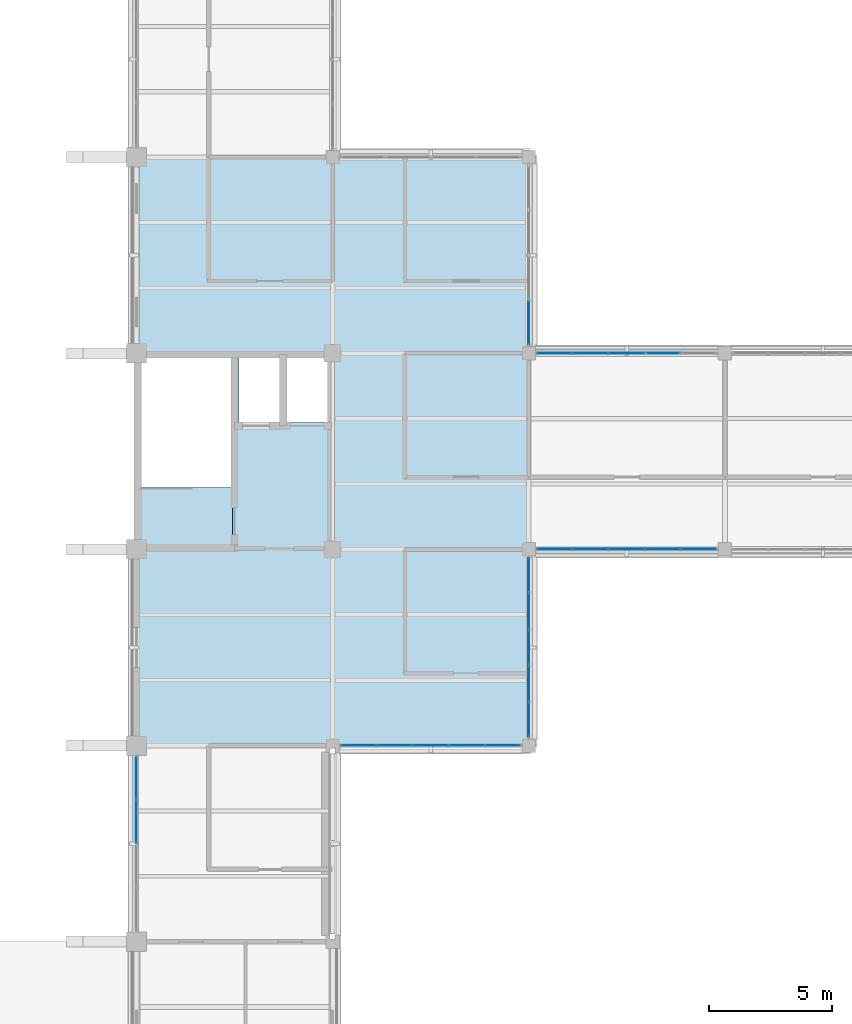
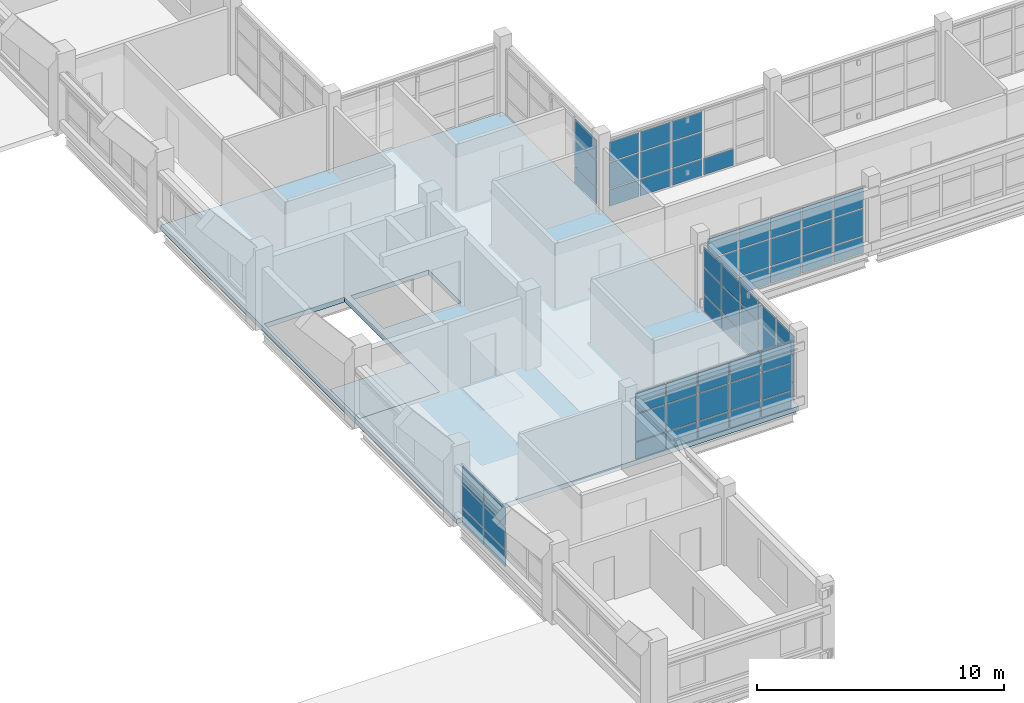
# One storey, part 52 of 92: 64 plates, 2 slabs, 6 elements without a shape of their own.
"""IFC4 building model written with IfcOpenShell, lengths in metres."""

from ifc_helpers import new_model, si_unit, derived_unit, direction, frame, origin, origin_2d, place, context, subcontext, project, spatial, polyline, rectangle, outline, extrude, material, layer, layer_set, type_object, element, aggregate, save


model = new_model("IFC4")

# Units and contexts
model_context = context("Model", 3, precision=1e-05, world=origin(), true_north=direction((0.0, 1.0)))
body_context = subcontext(model_context, "Body", "Model", "MODEL_VIEW")
ifc_project = project(units=[si_unit("LENGTHUNIT", "METRE"), si_unit("AREAUNIT", "SQUARE_METRE"), si_unit("VOLUMEUNIT", "CUBIC_METRE"), si_unit("PLANEANGLEUNIT", "RADIAN"), si_unit("MASSUNIT", "GRAM", prefix="KILO"), derived_unit("THERMALTRANSMITTANCEUNIT", [(si_unit("MASSUNIT", "GRAM", prefix="KILO"), 1), (si_unit("TIMEUNIT", "SECOND"), -3), (si_unit("THERMODYNAMICTEMPERATUREUNIT", "KELVIN"), -1)])], contexts=[model_context])

# Site, building, storey
site_placement = place(None, origin())
site = spatial("IfcSite", under=ifc_project, at=site_placement, CompositionType="ELEMENT")
building_placement = place(site_placement, origin())
building = spatial("IfcBuilding", under=site, at=building_placement, Name="Veyamyaing Civic Hall", CompositionType="ELEMENT")
storey_placement = place(building_placement, frame((0.0, 0.0, 17.820068359375)))
storey = spatial("IfcBuildingStorey", under=building, at=storey_placement, Name="L04", CompositionType="ELEMENT", Elevation=17.820068359375)

# Curtain wall, plates
ifc_material_1 = material(Name="Anodised aluminium 6063-T6", Category="aluminium")
ifc_layer_1 = layer(ifc_material_1, 0.139892578125, Name="Anodised aluminium 6063-T6")
ifc_layer_set_1 = layer_set([ifc_layer_1], Name="Anodised aluminium 6063-T6")
curtain_wall_type_1 = type_object("IfcCurtainWallType", Name="CW-04", PredefinedType="NOTDEFINED", material=ifc_layer_set_1)
curtain_wall_1_placement = place(storey_placement, origin())
curtain_wall_1 = element("IfcCurtainWall", 1, at=curtain_wall_1_placement, inside=storey, type_object=curtain_wall_type_1, Name="Unitized curtain wall CW-04 L04 S 15.6", PredefinedType="NOTDEFINED")
ifc_material_2 = material(Name="Low-E insulated glass", Category="glass")
ifc_layer_2 = layer(ifc_material_2, 0.028076171875, Name="Low-E insulated glass")
ifc_layer_set_2 = layer_set([ifc_layer_2], Name="Low-E insulated glass")
plate_type_1 = type_object("IfcPlateType", Name="CWP-01", PredefinedType="CURTAIN_PANEL", material=ifc_layer_set_2)
plate_1_placement = place(storey_placement, frame((113.05908203125, 40.0, 0.059814453125), z_axis=(0.0, 0.0, 1.0), x_axis=(1.0, 0.0, 0.0)))
plate_1 = element("IfcPlate", 2, at=plate_1_placement, type_object=plate_type_1, Name="CW-04 panel 1.1", PredefinedType="CURTAIN_PANEL", context=body_context, shape_type="SweptSolid", body=[
    extrude(rectangle(XDim=1.387939453125, YDim=0.028076171875, at=origin_2d()), origin(), (0.0, 0.0, 1.0), 0.81005859375),
])
plate_2_placement = place(storey_placement, frame((113.05908203125, 40.0, 0.929931640625), z_axis=(0.0, 0.0, 1.0), x_axis=(1.0, 0.0, 0.0)))
plate_2 = element("IfcPlate", 3, at=plate_2_placement, type_object=plate_type_1, Name="CW-04 panel 1.2", PredefinedType="CURTAIN_PANEL", context=body_context, shape_type="SweptSolid", body=[
    extrude(rectangle(XDim=1.387939453125, YDim=0.028076171875, at=origin_2d()), origin(), (0.0, 0.0, 1.0), 1.3193359375),
])
plate_3_placement = place(storey_placement, frame((113.05908203125, 40.0, 2.30908203125), z_axis=(0.0, 0.0, 1.0), x_axis=(1.0, 0.0, 0.0)))
plate_3 = element("IfcPlate", 4, at=plate_3_placement, type_object=plate_type_1, Name="CW-04 panel 1.3", PredefinedType="CURTAIN_PANEL", context=body_context, shape_type="SweptSolid", body=[
    extrude(rectangle(XDim=1.387939453125, YDim=0.028076171875, at=origin_2d()), origin(), (0.0, 0.0, 1.0), 0.982666015625),
])
plate_4_placement = place(storey_placement, frame((114.52197265625, 40.0, 0.059814453125), z_axis=(0.0, 0.0, 1.0), x_axis=(1.0, 0.0, 0.0)))
plate_4 = element("IfcPlate", 5, at=plate_4_placement, type_object=plate_type_1, Name="CW-04 panel 2.1", PredefinedType="CURTAIN_PANEL", context=body_context, shape_type="SweptSolid", body=[
    extrude(rectangle(XDim=1.41796875, YDim=0.028076171875, at=origin_2d()), origin(), (0.0, 0.0, 1.0), 0.81005859375),
])
plate_5_placement = place(storey_placement, frame((114.52197265625, 40.0, 0.929931640625), z_axis=(0.0, 0.0, 1.0), x_axis=(1.0, 0.0, 0.0)))
plate_5 = element("IfcPlate", 6, at=plate_5_placement, type_object=plate_type_1, Name="CW-04 panel 2.2", PredefinedType="CURTAIN_PANEL", context=body_context, shape_type="SweptSolid", body=[
    extrude(rectangle(XDim=1.41796875, YDim=0.028076171875, at=origin_2d()), origin(), (0.0, 0.0, 1.0), 1.3193359375),
])
plate_6_placement = place(storey_placement, frame((114.52197265625, 40.0, 2.30908203125), z_axis=(0.0, 0.0, 1.0), x_axis=(1.0, 0.0, 0.0)))
plate_6 = element("IfcPlate", 7, at=plate_6_placement, type_object=plate_type_1, Name="CW-04 panel 2.3", PredefinedType="CURTAIN_PANEL", context=body_context, shape_type="SweptSolid", body=[
    extrude(rectangle(XDim=1.41796875, YDim=0.028076171875, at=origin_2d()), origin(), (0.0, 0.0, 1.0), 0.982666015625),
])
plate_7_placement = place(storey_placement, frame((116.0, 40.0, 0.059814453125), z_axis=(0.0, 0.0, 1.0), x_axis=(1.0, 0.0, 0.0)))
plate_7 = element("IfcPlate", 8, at=plate_7_placement, type_object=plate_type_1, Name="CW-04 panel 3.1", PredefinedType="CURTAIN_PANEL", context=body_context, shape_type="SweptSolid", body=[
    extrude(rectangle(XDim=1.41796875, YDim=0.028076171875, at=origin_2d()), origin(), (0.0, 0.0, 1.0), 0.81005859375),
])
plate_8_placement = place(storey_placement, frame((116.0, 40.0, 0.929931640625), z_axis=(0.0, 0.0, 1.0), x_axis=(1.0, 0.0, 0.0)))
plate_8 = element("IfcPlate", 9, at=plate_8_placement, type_object=plate_type_1, Name="CW-04 panel 3.2", PredefinedType="CURTAIN_PANEL", context=body_context, shape_type="SweptSolid", body=[
    extrude(rectangle(XDim=1.41796875, YDim=0.028076171875, at=origin_2d()), origin(), (0.0, 0.0, 1.0), 1.3193359375),
])
plate_9_placement = place(storey_placement, frame((116.0, 40.0, 2.30908203125), z_axis=(0.0, 0.0, 1.0), x_axis=(1.0, 0.0, 0.0)))
plate_9 = element("IfcPlate", 10, at=plate_9_placement, type_object=plate_type_1, Name="CW-04 panel 3.3", PredefinedType="CURTAIN_PANEL", context=body_context, shape_type="SweptSolid", body=[
    extrude(rectangle(XDim=1.41796875, YDim=0.028076171875, at=origin_2d()), origin(), (0.0, 0.0, 1.0), 0.982666015625),
])
plate_10_placement = place(storey_placement, frame((117.47802734375, 40.0, 0.059814453125), z_axis=(0.0, 0.0, 1.0), x_axis=(1.0, 0.0, 0.0)))
plate_10 = element("IfcPlate", 11, at=plate_10_placement, type_object=plate_type_1, Name="CW-04 panel 4.1", PredefinedType="CURTAIN_PANEL", context=body_context, shape_type="SweptSolid", body=[
    extrude(rectangle(XDim=1.41796875, YDim=0.028076171875, at=origin_2d()), origin(), (0.0, 0.0, 1.0), 0.81005859375),
])
plate_11_placement = place(storey_placement, frame((117.47802734375, 40.0, 0.929931640625), z_axis=(0.0, 0.0, 1.0), x_axis=(1.0, 0.0, 0.0)))
plate_11 = element("IfcPlate", 12, at=plate_11_placement, type_object=plate_type_1, Name="CW-04 panel 4.2", PredefinedType="CURTAIN_PANEL", context=body_context, shape_type="SweptSolid", body=[
    extrude(rectangle(XDim=1.41796875, YDim=0.028076171875, at=origin_2d()), origin(), (0.0, 0.0, 1.0), 1.3193359375),
])
plate_12_placement = place(storey_placement, frame((117.47802734375, 40.0, 2.30908203125), z_axis=(0.0, 0.0, 1.0), x_axis=(1.0, 0.0, 0.0)))
plate_12 = element("IfcPlate", 13, at=plate_12_placement, type_object=plate_type_1, Name="CW-04 panel 4.3", PredefinedType="CURTAIN_PANEL", context=body_context, shape_type="SweptSolid", body=[
    extrude(rectangle(XDim=1.41796875, YDim=0.028076171875, at=origin_2d()), origin(), (0.0, 0.0, 1.0), 0.982666015625),
])
plate_13_placement = place(storey_placement, frame((118.94091796875, 40.0, 0.059814453125), z_axis=(0.0, 0.0, 1.0), x_axis=(1.0, 0.0, 0.0)))
plate_13 = element("IfcPlate", 14, at=plate_13_placement, type_object=plate_type_1, Name="CW-04 panel 5.1", PredefinedType="CURTAIN_PANEL", context=body_context, shape_type="SweptSolid", body=[
    extrude(rectangle(XDim=1.387939453125, YDim=0.028076171875, at=origin_2d()), origin(), (0.0, 0.0, 1.0), 0.81005859375),
])
plate_14_placement = place(storey_placement, frame((118.94091796875, 40.0, 0.929931640625), z_axis=(0.0, 0.0, 1.0), x_axis=(1.0, 0.0, 0.0)))
plate_14 = element("IfcPlate", 15, at=plate_14_placement, type_object=plate_type_1, Name="CW-04 panel 5.2", PredefinedType="CURTAIN_PANEL", context=body_context, shape_type="SweptSolid", body=[
    extrude(rectangle(XDim=1.387939453125, YDim=0.028076171875, at=origin_2d()), origin(), (0.0, 0.0, 1.0), 1.3193359375),
])
plate_15_placement = place(storey_placement, frame((118.94091796875, 40.0, 2.30908203125), z_axis=(0.0, 0.0, 1.0), x_axis=(1.0, 0.0, 0.0)))
plate_15 = element("IfcPlate", 16, at=plate_15_placement, type_object=plate_type_1, Name="CW-04 panel 5.3", PredefinedType="CURTAIN_PANEL", context=body_context, shape_type="SweptSolid", body=[
    extrude(rectangle(XDim=1.387939453125, YDim=0.028076171875, at=origin_2d()), origin(), (0.0, 0.0, 1.0), 0.982666015625),
])
aggregate(curtain_wall_1, [plate_1, plate_2, plate_3, plate_4, plate_5, plate_6, plate_7, plate_8, plate_9, plate_10, plate_11, plate_12, plate_13, plate_14, plate_15])

curtain_wall_2_placement = place(storey_placement, origin())
curtain_wall_2 = element("IfcCurtainWall", 17, at=curtain_wall_2_placement, inside=storey, type_object=curtain_wall_type_1, Name="Unitized curtain wall CW-04 L04 E 15.6", PredefinedType="NOTDEFINED")
plate_16_placement = place(storey_placement, frame((120.0, 41.05908203125, 0.059814453125), z_axis=(0.0, 0.0, 1.0), x_axis=(0.0, 1.0, 0.0)))
plate_16 = element("IfcPlate", 18, at=plate_16_placement, type_object=plate_type_1, Name="CW-04 panel 1.1", PredefinedType="CURTAIN_PANEL", context=body_context, shape_type="SweptSolid", body=[
    extrude(rectangle(XDim=1.387939453125, YDim=0.028076171875, at=origin_2d()), origin(), (0.0, 0.0, 1.0), 0.81005859375),
])
plate_17_placement = place(storey_placement, frame((120.0, 41.05908203125, 0.93017578125), z_axis=(0.0, 0.0, 1.0), x_axis=(0.0, 1.0, 0.0)))
plate_17 = element("IfcPlate", 19, at=plate_17_placement, type_object=plate_type_1, Name="CW-04 panel 1.2", PredefinedType="CURTAIN_PANEL", context=body_context, shape_type="SweptSolid", body=[
    extrude(rectangle(XDim=1.387939453125, YDim=0.028076171875, at=origin_2d()), origin(), (0.0, 0.0, 1.0), 1.273681640625),
])
plate_18_placement = place(storey_placement, frame((120.0, 41.05908203125, 2.263671875), z_axis=(0.0, 0.0, 1.0), x_axis=(0.0, 1.0, 0.0)))
plate_18 = element("IfcPlate", 20, at=plate_18_placement, type_object=plate_type_1, Name="CW-04 panel 1.3", PredefinedType="CURTAIN_PANEL", context=body_context, shape_type="SweptSolid", body=[
    extrude(rectangle(XDim=1.387939453125, YDim=0.028076171875, at=origin_2d()), origin(), (0.0, 0.0, 1.0), 0.961181640625),
])
plate_19_placement = place(storey_placement, frame((120.0, 42.52197265625, 0.059814453125), z_axis=(0.0, 0.0, 1.0), x_axis=(0.0, 1.0, 0.0)))
plate_19 = element("IfcPlate", 21, at=plate_19_placement, type_object=plate_type_1, Name="CW-04 panel 2.1", PredefinedType="CURTAIN_PANEL", context=body_context, shape_type="SweptSolid", body=[
    extrude(rectangle(XDim=1.41796875, YDim=0.028076171875, at=origin_2d()), origin(), (0.0, 0.0, 1.0), 0.81005859375),
])
plate_20_placement = place(storey_placement, frame((120.0, 42.52197265625, 0.93017578125), z_axis=(0.0, 0.0, 1.0), x_axis=(0.0, 1.0, 0.0)))
plate_20 = element("IfcPlate", 22, at=plate_20_placement, type_object=plate_type_1, Name="CW-04 panel 2.2", PredefinedType="CURTAIN_PANEL", context=body_context, shape_type="SweptSolid", body=[
    extrude(rectangle(XDim=1.41796875, YDim=0.028076171875, at=origin_2d()), origin(), (0.0, 0.0, 1.0), 1.273681640625),
])
plate_21_placement = place(storey_placement, frame((120.0, 42.52197265625, 2.263671875), z_axis=(0.0, 0.0, 1.0), x_axis=(0.0, 1.0, 0.0)))
plate_21 = element("IfcPlate", 23, at=plate_21_placement, type_object=plate_type_1, Name="CW-04 panel 2.3", PredefinedType="CURTAIN_PANEL", context=body_context, shape_type="SweptSolid", body=[
    extrude(rectangle(XDim=1.41796875, YDim=0.028076171875, at=origin_2d()), origin(), (0.0, 0.0, 1.0), 0.961181640625),
])
plate_22_placement = place(storey_placement, frame((120.0, 44.0, 0.059814453125), z_axis=(0.0, 0.0, 1.0), x_axis=(0.0, 1.0, 0.0)))
plate_22 = element("IfcPlate", 24, at=plate_22_placement, type_object=plate_type_1, Name="CW-04 panel 3.1", PredefinedType="CURTAIN_PANEL", context=body_context, shape_type="SweptSolid", body=[
    extrude(rectangle(XDim=1.41796875, YDim=0.028076171875, at=origin_2d()), origin(), (0.0, 0.0, 1.0), 0.81005859375),
])
plate_23_placement = place(storey_placement, frame((120.0, 44.0, 0.93017578125), z_axis=(0.0, 0.0, 1.0), x_axis=(0.0, 1.0, 0.0)))
plate_23 = element("IfcPlate", 25, at=plate_23_placement, type_object=plate_type_1, Name="CW-04 panel 3.2", PredefinedType="CURTAIN_PANEL", context=body_context, shape_type="SweptSolid", body=[
    extrude(rectangle(XDim=1.41796875, YDim=0.028076171875, at=origin_2d()), origin(), (0.0, 0.0, 1.0), 1.273681640625),
])
plate_24_placement = place(storey_placement, frame((120.0, 44.0, 2.263671875), z_axis=(0.0, 0.0, 1.0), x_axis=(0.0, 1.0, 0.0)))
plate_24 = element("IfcPlate", 26, at=plate_24_placement, type_object=plate_type_1, Name="CW-04 panel 3.3", PredefinedType="CURTAIN_PANEL", context=body_context, shape_type="SweptSolid", body=[
    extrude(rectangle(XDim=1.41796875, YDim=0.028076171875, at=origin_2d()), origin(), (0.0, 0.0, 1.0), 0.961181640625),
])
plate_25_placement = place(storey_placement, frame((120.0, 45.47802734375, 0.059814453125), z_axis=(0.0, 0.0, 1.0), x_axis=(0.0, 1.0, 0.0)))
plate_25 = element("IfcPlate", 27, at=plate_25_placement, type_object=plate_type_1, Name="CW-04 panel 4.1", PredefinedType="CURTAIN_PANEL", context=body_context, shape_type="SweptSolid", body=[
    extrude(rectangle(XDim=1.41796875, YDim=0.028076171875, at=origin_2d()), origin(), (0.0, 0.0, 1.0), 0.81005859375),
])
plate_26_placement = place(storey_placement, frame((120.0, 45.47802734375, 0.93017578125), z_axis=(0.0, 0.0, 1.0), x_axis=(0.0, 1.0, 0.0)))
plate_26 = element("IfcPlate", 28, at=plate_26_placement, type_object=plate_type_1, Name="CW-04 panel 4.2", PredefinedType="CURTAIN_PANEL", context=body_context, shape_type="SweptSolid", body=[
    extrude(rectangle(XDim=1.41796875, YDim=0.028076171875, at=origin_2d()), origin(), (0.0, 0.0, 1.0), 1.273681640625),
])
plate_27_placement = place(storey_placement, frame((120.0, 45.47802734375, 2.263671875), z_axis=(0.0, 0.0, 1.0), x_axis=(0.0, 1.0, 0.0)))
plate_27 = element("IfcPlate", 29, at=plate_27_placement, type_object=plate_type_1, Name="CW-04 panel 4.3", PredefinedType="CURTAIN_PANEL", context=body_context, shape_type="SweptSolid", body=[
    extrude(rectangle(XDim=1.41796875, YDim=0.028076171875, at=origin_2d()), origin(), (0.0, 0.0, 1.0), 0.961181640625),
])
plate_28_placement = place(storey_placement, frame((120.0, 46.94091796875, 0.059814453125), z_axis=(0.0, 0.0, 1.0), x_axis=(0.0, 1.0, 0.0)))
plate_28 = element("IfcPlate", 30, at=plate_28_placement, type_object=plate_type_1, Name="CW-04 panel 5.1", PredefinedType="CURTAIN_PANEL", context=body_context, shape_type="SweptSolid", body=[
    extrude(rectangle(XDim=1.387939453125, YDim=0.028076171875, at=origin_2d()), origin(), (0.0, 0.0, 1.0), 0.81005859375),
])
plate_29_placement = place(storey_placement, frame((120.0, 46.94091796875, 0.93017578125), z_axis=(0.0, 0.0, 1.0), x_axis=(0.0, 1.0, 0.0)))
plate_29 = element("IfcPlate", 31, at=plate_29_placement, type_object=plate_type_1, Name="CW-04 panel 5.2", PredefinedType="CURTAIN_PANEL", context=body_context, shape_type="SweptSolid", body=[
    extrude(rectangle(XDim=1.387939453125, YDim=0.028076171875, at=origin_2d()), origin(), (0.0, 0.0, 1.0), 1.273681640625),
])
plate_30_placement = place(storey_placement, frame((120.0, 46.94091796875, 2.263671875), z_axis=(0.0, 0.0, 1.0), x_axis=(0.0, 1.0, 0.0)))
plate_30 = element("IfcPlate", 32, at=plate_30_placement, type_object=plate_type_1, Name="CW-04 panel 5.3", PredefinedType="CURTAIN_PANEL", context=body_context, shape_type="SweptSolid", body=[
    extrude(rectangle(XDim=1.387939453125, YDim=0.028076171875, at=origin_2d()), origin(), (0.0, 0.0, 1.0), 0.961181640625),
])
aggregate(curtain_wall_2, [plate_16, plate_17, plate_18, plate_19, plate_20, plate_21, plate_22, plate_23, plate_24, plate_25, plate_26, plate_27, plate_28, plate_29, plate_30])

ifc_layer_3 = layer(ifc_material_1, 0.159912109375, Name="Anodised aluminium 6063-T6")
ifc_layer_set_3 = layer_set([ifc_layer_3], Name="Anodised aluminium 6063-T6")
curtain_wall_type_2 = type_object("IfcCurtainWallType", Name="CW-08", PredefinedType="NOTDEFINED", material=ifc_layer_set_3)
curtain_wall_3_placement = place(storey_placement, origin())
curtain_wall_3 = element("IfcCurtainWall", 33, at=curtain_wall_3_placement, inside=storey, type_object=curtain_wall_type_2, Name="Unitized curtain wall CW-08 L04 E 15.8", PredefinedType="NOTDEFINED")
ifc_layer_4 = layer(ifc_material_2, 0.035888671875, Name="Low-E insulated glass")
ifc_layer_set_4 = layer_set([ifc_layer_4], Name="Low-E insulated glass")
plate_type_2 = type_object("IfcPlateType", Name="CWP-03", PredefinedType="CURTAIN_PANEL", material=ifc_layer_set_4)
plate_31_placement = place(storey_placement, frame((120.0, 57.2451171875, 0.06494140625), z_axis=(0.0, 0.0, 1.0), x_axis=(0.0, 1.0, 0.0)))
plate_31 = element("IfcPlate", 34, at=plate_31_placement, type_object=plate_type_2, Name="CW-08 panel 1.1", PredefinedType="CURTAIN_PANEL", context=body_context, shape_type="SweptSolid", body=[
    extrude(rectangle(XDim=1.75, YDim=0.035888671875, at=origin_2d()), origin(), (0.0, 0.0, 1.0), 0.802490234375),
])
plate_32_placement = place(storey_placement, frame((120.0, 57.2451171875, 0.932373046875), z_axis=(0.0, 0.0, 1.0), x_axis=(0.0, 1.0, 0.0)))
plate_32 = element("IfcPlate", 35, at=plate_32_placement, type_object=plate_type_2, Name="CW-08 panel 1.2", PredefinedType="CURTAIN_PANEL", context=body_context, shape_type="SweptSolid", body=[
    extrude(rectangle(XDim=1.75, YDim=0.035888671875, at=origin_2d()), origin(), (0.0, 0.0, 1.0), 1.271484375),
])
plate_33_placement = place(storey_placement, frame((120.0, 57.2451171875, 2.268798828125), z_axis=(0.0, 0.0, 1.0), x_axis=(0.0, 1.0, 0.0)))
plate_33 = element("IfcPlate", 36, at=plate_33_placement, type_object=plate_type_2, Name="CW-08 panel 1.3", PredefinedType="CURTAIN_PANEL", context=body_context, shape_type="SweptSolid", body=[
    extrude(rectangle(XDim=1.75, YDim=0.035888671875, at=origin_2d()), origin(), (0.0, 0.0, 1.0), 0.955078125),
])
aggregate(curtain_wall_3, [plate_31, plate_32, plate_33])

curtain_wall_4_placement = place(storey_placement, origin())
curtain_wall_4 = element("IfcCurtainWall", 37, at=curtain_wall_4_placement, inside=storey, type_object=curtain_wall_type_1, Name="Unitized curtain wall CW-04 L04 S 16.7", PredefinedType="NOTDEFINED")
plate_34_placement = place(storey_placement, frame((121.05908203125, 48.0, 0.059814453125), z_axis=(0.0, 0.0, 1.0), x_axis=(1.0, 0.0, 0.0)))
plate_34 = element("IfcPlate", 38, at=plate_34_placement, type_object=plate_type_2, Name="CW-04 panel 1.1", PredefinedType="CURTAIN_PANEL", context=body_context, shape_type="SweptSolid", body=[
    extrude(rectangle(XDim=1.387939453125, YDim=0.035888671875, at=origin_2d()), origin(), (0.0, 0.0, 1.0), 0.81005859375),
])
plate_35_placement = place(storey_placement, frame((121.05908203125, 48.0, 0.929931640625), z_axis=(0.0, 0.0, 1.0), x_axis=(1.0, 0.0, 0.0)))
plate_35 = element("IfcPlate", 39, at=plate_35_placement, type_object=plate_type_2, Name="CW-04 panel 1.2", PredefinedType="CURTAIN_PANEL", context=body_context, shape_type="SweptSolid", body=[
    extrude(rectangle(XDim=1.387939453125, YDim=0.035888671875, at=origin_2d()), origin(), (0.0, 0.0, 1.0), 1.3173828125),
])
plate_36_placement = place(storey_placement, frame((121.05908203125, 48.0, 2.30712890625), z_axis=(0.0, 0.0, 1.0), x_axis=(1.0, 0.0, 0.0)))
plate_36 = element("IfcPlate", 40, at=plate_36_placement, type_object=plate_type_2, Name="CW-04 panel 1.3", PredefinedType="CURTAIN_PANEL", context=body_context, shape_type="SweptSolid", body=[
    extrude(rectangle(XDim=1.387939453125, YDim=0.035888671875, at=origin_2d()), origin(), (0.0, 0.0, 1.0), 0.981689453125),
])
plate_37_placement = place(storey_placement, frame((122.52197265625, 48.0, 0.059814453125), z_axis=(0.0, 0.0, 1.0), x_axis=(1.0, 0.0, 0.0)))
plate_37 = element("IfcPlate", 41, at=plate_37_placement, type_object=plate_type_2, Name="CW-04 panel 2.1", PredefinedType="CURTAIN_PANEL", context=body_context, shape_type="SweptSolid", body=[
    extrude(rectangle(XDim=1.41796875, YDim=0.035888671875, at=origin_2d()), origin(), (0.0, 0.0, 1.0), 0.81005859375),
])
plate_38_placement = place(storey_placement, frame((122.52197265625, 48.0, 0.929931640625), z_axis=(0.0, 0.0, 1.0), x_axis=(1.0, 0.0, 0.0)))
plate_38 = element("IfcPlate", 42, at=plate_38_placement, type_object=plate_type_2, Name="CW-04 panel 2.2", PredefinedType="CURTAIN_PANEL", context=body_context, shape_type="SweptSolid", body=[
    extrude(rectangle(XDim=1.41796875, YDim=0.035888671875, at=origin_2d()), origin(), (0.0, 0.0, 1.0), 1.3173828125),
])
plate_39_placement = place(storey_placement, frame((122.52197265625, 48.0, 2.30712890625), z_axis=(0.0, 0.0, 1.0), x_axis=(1.0, 0.0, 0.0)))
plate_39 = element("IfcPlate", 43, at=plate_39_placement, type_object=plate_type_2, Name="CW-04 panel 2.3", PredefinedType="CURTAIN_PANEL", context=body_context, shape_type="SweptSolid", body=[
    extrude(rectangle(XDim=1.41796875, YDim=0.035888671875, at=origin_2d()), origin(), (0.0, 0.0, 1.0), 0.981689453125),
])
plate_40_placement = place(storey_placement, frame((124.0, 48.0, 0.059814453125), z_axis=(0.0, 0.0, 1.0), x_axis=(1.0, 0.0, 0.0)))
plate_40 = element("IfcPlate", 44, at=plate_40_placement, type_object=plate_type_2, Name="CW-04 panel 3.1", PredefinedType="CURTAIN_PANEL", context=body_context, shape_type="SweptSolid", body=[
    extrude(rectangle(XDim=1.41796875, YDim=0.035888671875, at=origin_2d()), origin(), (0.0, 0.0, 1.0), 0.81005859375),
])
plate_41_placement = place(storey_placement, frame((124.0, 48.0, 0.929931640625), z_axis=(0.0, 0.0, 1.0), x_axis=(1.0, 0.0, 0.0)))
plate_41 = element("IfcPlate", 45, at=plate_41_placement, type_object=plate_type_2, Name="CW-04 panel 3.2", PredefinedType="CURTAIN_PANEL", context=body_context, shape_type="SweptSolid", body=[
    extrude(rectangle(XDim=1.41796875, YDim=0.035888671875, at=origin_2d()), origin(), (0.0, 0.0, 1.0), 1.3173828125),
])
plate_42_placement = place(storey_placement, frame((124.0, 48.0, 2.30712890625), z_axis=(0.0, 0.0, 1.0), x_axis=(1.0, 0.0, 0.0)))
plate_42 = element("IfcPlate", 46, at=plate_42_placement, type_object=plate_type_2, Name="CW-04 panel 3.3", PredefinedType="CURTAIN_PANEL", context=body_context, shape_type="SweptSolid", body=[
    extrude(rectangle(XDim=1.41796875, YDim=0.035888671875, at=origin_2d()), origin(), (0.0, 0.0, 1.0), 0.981689453125),
])
plate_43_placement = place(storey_placement, frame((125.47802734375, 48.0, 0.059814453125), z_axis=(0.0, 0.0, 1.0), x_axis=(1.0, 0.0, 0.0)))
plate_43 = element("IfcPlate", 47, at=plate_43_placement, type_object=plate_type_2, Name="CW-04 panel 4.1", PredefinedType="CURTAIN_PANEL", context=body_context, shape_type="SweptSolid", body=[
    extrude(rectangle(XDim=1.41796875, YDim=0.035888671875, at=origin_2d()), origin(), (0.0, 0.0, 1.0), 0.81005859375),
])
plate_44_placement = place(storey_placement, frame((125.47802734375, 48.0, 0.929931640625), z_axis=(0.0, 0.0, 1.0), x_axis=(1.0, 0.0, 0.0)))
plate_44 = element("IfcPlate", 48, at=plate_44_placement, type_object=plate_type_2, Name="CW-04 panel 4.2", PredefinedType="CURTAIN_PANEL", context=body_context, shape_type="SweptSolid", body=[
    extrude(rectangle(XDim=1.41796875, YDim=0.035888671875, at=origin_2d()), origin(), (0.0, 0.0, 1.0), 1.3173828125),
])
plate_45_placement = place(storey_placement, frame((125.47802734375, 48.0, 2.30712890625), z_axis=(0.0, 0.0, 1.0), x_axis=(1.0, 0.0, 0.0)))
plate_45 = element("IfcPlate", 49, at=plate_45_placement, type_object=plate_type_2, Name="CW-04 panel 4.3", PredefinedType="CURTAIN_PANEL", context=body_context, shape_type="SweptSolid", body=[
    extrude(rectangle(XDim=1.41796875, YDim=0.035888671875, at=origin_2d()), origin(), (0.0, 0.0, 1.0), 0.981689453125),
])
plate_46_placement = place(storey_placement, frame((126.94091796875, 48.0, 0.059814453125), z_axis=(0.0, 0.0, 1.0), x_axis=(1.0, 0.0, 0.0)))
plate_46 = element("IfcPlate", 50, at=plate_46_placement, type_object=plate_type_2, Name="CW-04 panel 5.1", PredefinedType="CURTAIN_PANEL", context=body_context, shape_type="SweptSolid", body=[
    extrude(rectangle(XDim=1.387939453125, YDim=0.035888671875, at=origin_2d()), origin(), (0.0, 0.0, 1.0), 0.81005859375),
])
plate_47_placement = place(storey_placement, frame((126.94091796875, 48.0, 0.929931640625), z_axis=(0.0, 0.0, 1.0), x_axis=(1.0, 0.0, 0.0)))
plate_47 = element("IfcPlate", 51, at=plate_47_placement, type_object=plate_type_2, Name="CW-04 panel 5.2", PredefinedType="CURTAIN_PANEL", context=body_context, shape_type="SweptSolid", body=[
    extrude(rectangle(XDim=1.387939453125, YDim=0.035888671875, at=origin_2d()), origin(), (0.0, 0.0, 1.0), 1.3173828125),
])
plate_48_placement = place(storey_placement, frame((126.94091796875, 48.0, 2.30712890625), z_axis=(0.0, 0.0, 1.0), x_axis=(1.0, 0.0, 0.0)))
plate_48 = element("IfcPlate", 52, at=plate_48_placement, type_object=plate_type_2, Name="CW-04 panel 5.3", PredefinedType="CURTAIN_PANEL", context=body_context, shape_type="SweptSolid", body=[
    extrude(rectangle(XDim=1.387939453125, YDim=0.035888671875, at=origin_2d()), origin(), (0.0, 0.0, 1.0), 0.981689453125),
])
aggregate(curtain_wall_4, [plate_34, plate_35, plate_36, plate_37, plate_38, plate_39, plate_40, plate_41, plate_42, plate_43, plate_44, plate_45, plate_46, plate_47, plate_48])

curtain_wall_5_placement = place(storey_placement, origin())
curtain_wall_5 = element("IfcCurtainWall", 53, at=curtain_wall_5_placement, inside=storey, type_object=curtain_wall_type_1, Name="Unitized curtain wall CW-04 L04 N 16.7", PredefinedType="NOTDEFINED")
plate_49_placement = place(storey_placement, frame((121.05908203125, 56.0, 0.059814453125), z_axis=(0.0, 0.0, 1.0), x_axis=(1.0, 0.0, 0.0)))
plate_49 = element("IfcPlate", 54, at=plate_49_placement, type_object=plate_type_2, Name="CW-04 panel 1.1", PredefinedType="CURTAIN_PANEL", context=body_context, shape_type="SweptSolid", body=[
    extrude(rectangle(XDim=1.387939453125, YDim=0.035888671875, at=origin_2d()), origin(), (0.0, 0.0, 1.0), 0.81005859375),
])
plate_50_placement = place(storey_placement, frame((121.05908203125, 56.0, 0.9296875), z_axis=(0.0, 0.0, 1.0), x_axis=(1.0, 0.0, 0.0)))
plate_50 = element("IfcPlate", 55, at=plate_50_placement, type_object=plate_type_2, Name="CW-04 panel 1.2", PredefinedType="CURTAIN_PANEL", context=body_context, shape_type="SweptSolid", body=[
    extrude(rectangle(XDim=1.387939453125, YDim=0.035888671875, at=origin_2d()), origin(), (0.0, 0.0, 1.0), 1.276611328125),
])
plate_51_placement = place(storey_placement, frame((121.05908203125, 56.0, 2.2666015625), z_axis=(0.0, 0.0, 1.0), x_axis=(1.0, 0.0, 0.0)))
plate_51 = element("IfcPlate", 56, at=plate_51_placement, type_object=plate_type_2, Name="CW-04 panel 1.3", PredefinedType="CURTAIN_PANEL", context=body_context, shape_type="SweptSolid", body=[
    extrude(rectangle(XDim=1.387939453125, YDim=0.035888671875, at=origin_2d()), origin(), (0.0, 0.0, 1.0), 0.96240234375),
])
plate_52_placement = place(storey_placement, frame((122.52197265625, 56.0, 0.059814453125), z_axis=(0.0, 0.0, 1.0), x_axis=(1.0, 0.0, 0.0)))
plate_52 = element("IfcPlate", 57, at=plate_52_placement, type_object=plate_type_2, Name="CW-04 panel 2.1", PredefinedType="CURTAIN_PANEL", context=body_context, shape_type="SweptSolid", body=[
    extrude(rectangle(XDim=1.41796875, YDim=0.035888671875, at=origin_2d()), origin(), (0.0, 0.0, 1.0), 0.81005859375),
])
plate_53_placement = place(storey_placement, frame((122.52197265625, 56.0, 0.9296875), z_axis=(0.0, 0.0, 1.0), x_axis=(1.0, 0.0, 0.0)))
plate_53 = element("IfcPlate", 58, at=plate_53_placement, type_object=plate_type_2, Name="CW-04 panel 2.2", PredefinedType="CURTAIN_PANEL", context=body_context, shape_type="SweptSolid", body=[
    extrude(rectangle(XDim=1.41796875, YDim=0.035888671875, at=origin_2d()), origin(), (0.0, 0.0, 1.0), 1.276611328125),
])
plate_54_placement = place(storey_placement, frame((122.52197265625, 56.0, 2.2666015625), z_axis=(0.0, 0.0, 1.0), x_axis=(1.0, 0.0, 0.0)))
plate_54 = element("IfcPlate", 59, at=plate_54_placement, type_object=plate_type_2, Name="CW-04 panel 2.3", PredefinedType="CURTAIN_PANEL", context=body_context, shape_type="SweptSolid", body=[
    extrude(rectangle(XDim=1.41796875, YDim=0.035888671875, at=origin_2d()), origin(), (0.0, 0.0, 1.0), 0.96240234375),
])
plate_55_placement = place(storey_placement, frame((124.0, 56.0, 0.059814453125), z_axis=(0.0, 0.0, 1.0), x_axis=(1.0, 0.0, 0.0)))
plate_55 = element("IfcPlate", 60, at=plate_55_placement, type_object=plate_type_2, Name="CW-04 panel 3.1", PredefinedType="CURTAIN_PANEL", context=body_context, shape_type="SweptSolid", body=[
    extrude(rectangle(XDim=1.41796875, YDim=0.035888671875, at=origin_2d()), origin(), (0.0, 0.0, 1.0), 0.81005859375),
])
plate_56_placement = place(storey_placement, frame((124.0, 56.0, 0.9296875), z_axis=(0.0, 0.0, 1.0), x_axis=(1.0, 0.0, 0.0)))
plate_56 = element("IfcPlate", 61, at=plate_56_placement, type_object=plate_type_2, Name="CW-04 panel 3.2", PredefinedType="CURTAIN_PANEL", context=body_context, shape_type="SweptSolid", body=[
    extrude(rectangle(XDim=1.41796875, YDim=0.035888671875, at=origin_2d()), origin(), (0.0, 0.0, 1.0), 1.276611328125),
])
plate_57_placement = place(storey_placement, frame((124.0, 56.0, 2.2666015625), z_axis=(0.0, 0.0, 1.0), x_axis=(1.0, 0.0, 0.0)))
plate_57 = element("IfcPlate", 62, at=plate_57_placement, type_object=plate_type_2, Name="CW-04 panel 3.3", PredefinedType="CURTAIN_PANEL", context=body_context, shape_type="SweptSolid", body=[
    extrude(rectangle(XDim=1.41796875, YDim=0.035888671875, at=origin_2d()), origin(), (0.0, 0.0, 1.0), 0.96240234375),
])
plate_58_placement = place(storey_placement, frame((125.47802734375, 56.0, 0.059814453125), z_axis=(0.0, 0.0, 1.0), x_axis=(1.0, 0.0, 0.0)))
plate_58 = element("IfcPlate", 63, at=plate_58_placement, type_object=plate_type_2, Name="CW-04 panel 4.1", PredefinedType="CURTAIN_PANEL", context=body_context, shape_type="SweptSolid", body=[
    extrude(rectangle(XDim=1.41796875, YDim=0.035888671875, at=origin_2d()), origin(), (0.0, 0.0, 1.0), 0.81005859375),
])
aggregate(curtain_wall_5, [plate_49, plate_50, plate_51, plate_52, plate_53, plate_54, plate_55, plate_56, plate_57, plate_58])

curtain_wall_6_placement = place(storey_placement, origin())
curtain_wall_6 = element("IfcCurtainWall", 64, at=curtain_wall_6_placement, inside=storey, type_object=curtain_wall_type_2, Name="Unitized curtain wall CW-08 L04 W 14.5", PredefinedType="NOTDEFINED")
ifc_layer_5 = layer(ifc_material_2, 0.0400390625, Name="Low-E insulated glass")
ifc_layer_set_5 = layer_set([ifc_layer_5], Name="Low-E insulated glass")
plate_type_3 = type_object("IfcPlateType", Name="CWP-05", PredefinedType="CURTAIN_PANEL", material=ifc_layer_set_5)
plate_59_placement = place(storey_placement, frame((104.0, 36.892578125, 0.06494140625), z_axis=(0.0, 0.0, 1.0), x_axis=(0.0, 1.0, 0.0)))
plate_59 = element("IfcPlate", 65, at=plate_59_placement, type_object=plate_type_3, Name="CW-08 panel 3.1", PredefinedType="CURTAIN_PANEL", context=body_context, shape_type="SweptSolid", body=[
    extrude(rectangle(XDim=1.719970703125, YDim=0.0400390625, at=origin_2d()), origin(), (0.0, 0.0, 1.0), 0.802490234375),
])
plate_60_placement = place(storey_placement, frame((104.0, 36.892578125, 0.9326171875), z_axis=(0.0, 0.0, 1.0), x_axis=(0.0, 1.0, 0.0)))
plate_60 = element("IfcPlate", 66, at=plate_60_placement, type_object=plate_type_3, Name="CW-08 panel 3.2", PredefinedType="CURTAIN_PANEL", context=body_context, shape_type="SweptSolid", body=[
    extrude(rectangle(XDim=1.719970703125, YDim=0.0400390625, at=origin_2d()), origin(), (0.0, 0.0, 1.0), 1.076416015625),
])
plate_61_placement = place(storey_placement, frame((104.0, 36.892578125, 2.07373046875), z_axis=(0.0, 0.0, 1.0), x_axis=(0.0, 1.0, 0.0)))
plate_61 = element("IfcPlate", 67, at=plate_61_placement, type_object=plate_type_3, Name="CW-08 panel 3.3", PredefinedType="CURTAIN_PANEL", context=body_context, shape_type="SweptSolid", body=[
    extrude(rectangle(XDim=1.719970703125, YDim=0.0400390625, at=origin_2d()), origin(), (0.0, 0.0, 1.0), 0.863037109375),
])
plate_62_placement = place(storey_placement, frame((104.0, 38.6611328125, 0.06494140625), z_axis=(0.0, 0.0, 1.0), x_axis=(0.0, 1.0, 0.0)))
plate_62 = element("IfcPlate", 68, at=plate_62_placement, type_object=plate_type_3, Name="CW-08 panel 4.1", PredefinedType="CURTAIN_PANEL", context=body_context, shape_type="SweptSolid", body=[
    extrude(rectangle(XDim=1.6875, YDim=0.0400390625, at=origin_2d()), origin(), (0.0, 0.0, 1.0), 0.802490234375),
])
plate_63_placement = place(storey_placement, frame((104.0, 38.6611328125, 0.9326171875), z_axis=(0.0, 0.0, 1.0), x_axis=(0.0, 1.0, 0.0)))
plate_63 = element("IfcPlate", 69, at=plate_63_placement, type_object=plate_type_3, Name="CW-08 panel 4.2", PredefinedType="CURTAIN_PANEL", context=body_context, shape_type="SweptSolid", body=[
    extrude(rectangle(XDim=1.6875, YDim=0.0400390625, at=origin_2d()), origin(), (0.0, 0.0, 1.0), 1.076416015625),
])
plate_64_placement = place(storey_placement, frame((104.0, 38.6611328125, 2.07373046875), z_axis=(0.0, 0.0, 1.0), x_axis=(0.0, 1.0, 0.0)))
plate_64 = element("IfcPlate", 70, at=plate_64_placement, type_object=plate_type_3, Name="CW-08 panel 4.3", PredefinedType="CURTAIN_PANEL", context=body_context, shape_type="SweptSolid", body=[
    extrude(rectangle(XDim=1.6875, YDim=0.0400390625, at=origin_2d()), origin(), (0.0, 0.0, 1.0), 0.863037109375),
])
aggregate(curtain_wall_6, [plate_59, plate_60, plate_61, plate_62, plate_63, plate_64])

# Slabs
ifc_material_3 = material(Name="Concrete C40/50", Category="concrete")
ifc_layer_6 = layer(ifc_material_3, 0.235107421875, Name="Concrete C40/50")
ifc_layer_set_6 = layer_set([ifc_layer_6], Name="Concrete C40/50")
slab_type_1 = type_object("IfcSlabType", Name="SL-06", PredefinedType="FLOOR", material=ifc_layer_set_6)
slab_1_placement = place(storey_placement, frame((0.0, 0.0, -0.235107421875)))
element("IfcSlab", 71, at=slab_1_placement, inside=storey, type_object=slab_type_1, Name="Floor slab SL-06 L04 V1C.2", PredefinedType="FLOOR", context=body_context, shape_type="SweptSolid", body=[
    extrude(outline(polyline([(104.0, 64.0), (120.0, 64.0), (120.0, 40.0), (104.0, 40.0), (104.0, 64.0)]), holes=[polyline([(104.139892578125, 55.860107421875), (104.139892578125, 48.139892578125), (107.909912109375, 48.139892578125), (107.909912109375, 55.860107421875), (104.139892578125, 55.860107421875)]), polyline([(111.820068359375, 55.820068359375), (108.179931640625, 55.820068359375), (108.179931640625, 53.179931640625), (111.820068359375, 53.179931640625), (111.820068359375, 55.820068359375)])]), origin(), (0.0, 0.0, 1.0), 0.235107421875),
])
ifc_layer_7 = layer(ifc_material_3, 0.199951171875, Name="Concrete C40/50")
ifc_layer_set_7 = layer_set([ifc_layer_7], Name="Concrete C40/50")
slab_type_2 = type_object("IfcSlabType", Name="SL-16", PredefinedType="FLOOR", material=ifc_layer_set_7)
slab_2_placement = place(storey_placement, frame((0.0, 0.0, -0.199951171875)))
element("IfcSlab", 72, at=slab_2_placement, inside=storey, type_object=slab_type_2, Name="Stair floor landing slab SL-16 ST-06 L04", PredefinedType="FLOOR", context=body_context, shape_type="SweptSolid", body=[
    extrude(outline(polyline([(104.139892578125, 48.139892578125), (107.909912109375, 48.139892578125), (107.909912109375, 50.52001953125), (104.139892578125, 50.52001953125), (104.139892578125, 48.139892578125)])), origin(), (0.0, 0.0, 1.0), 0.199951171875),
])

save(model, "model.ifc")
